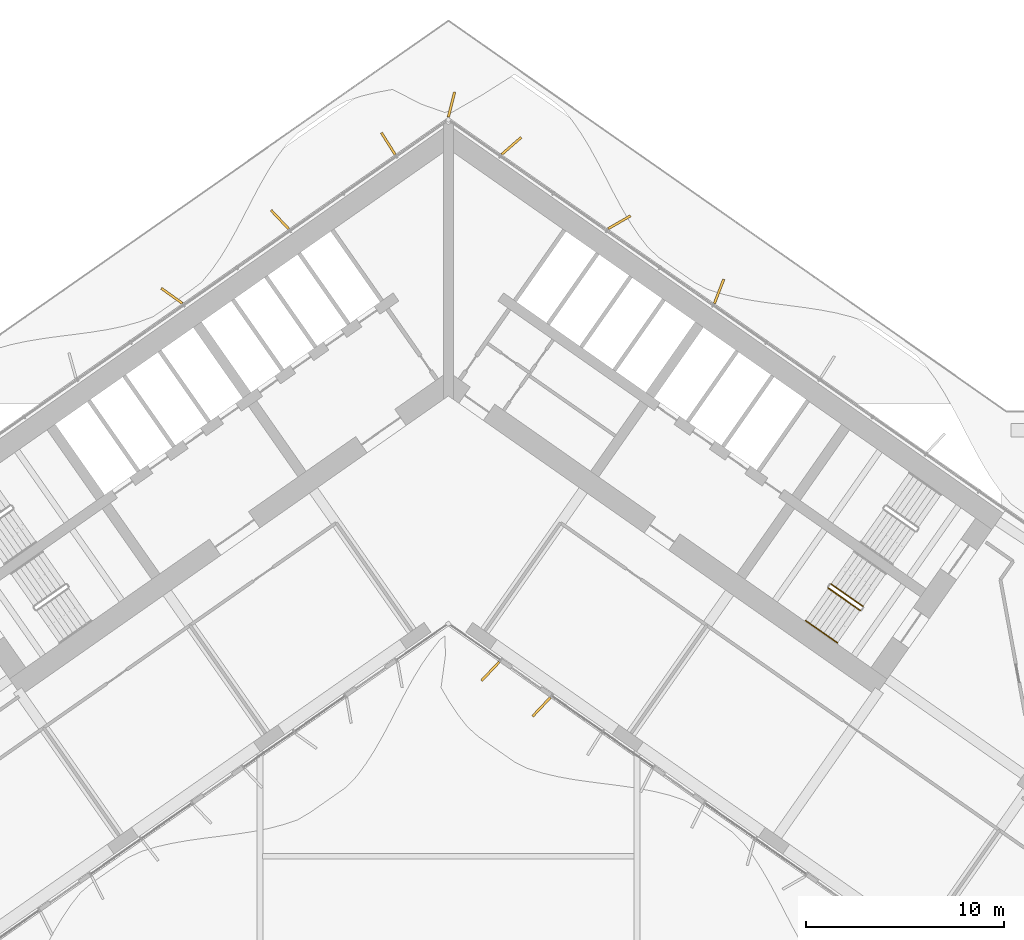
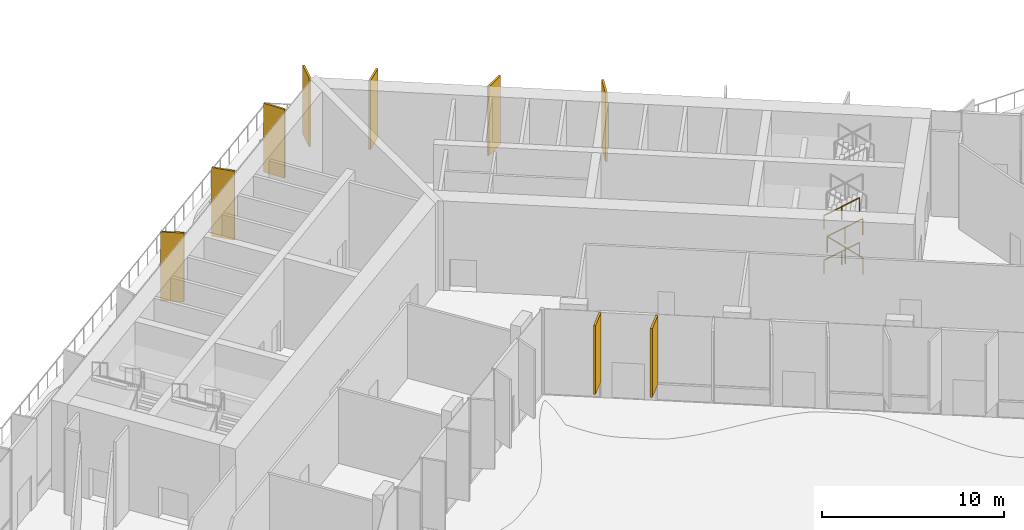
# One storey, part 25 of 27: 9 shading devices, 4 railings.
"""IFC4 building model written with IfcOpenShell, lengths in metres."""

from ifc_helpers import new_model, si_unit, direction, frame, origin, origin_2d, place, context, subcontext, project, spatial, rectangle, circle, extrude, material, layer, layer_set, type_object, element, save


model = new_model("IFC4")

# Units and contexts
model_context = context("Model", 3, precision=1e-05, world=origin(), true_north=direction((0.0, 1.0)))
body_context = subcontext(model_context, "Body", "Model", "MODEL_VIEW")
ifc_project = project(units=[si_unit("LENGTHUNIT", "METRE"), si_unit("AREAUNIT", "SQUARE_METRE"), si_unit("VOLUMEUNIT", "CUBIC_METRE"), si_unit("PLANEANGLEUNIT", "RADIAN"), si_unit("MASSUNIT", "GRAM", prefix="KILO")], contexts=[model_context])

# Site, building, storey
site_placement = place(None, origin())
site = spatial("IfcSite", under=ifc_project, at=site_placement, CompositionType="ELEMENT")
building_placement = place(site_placement, origin())
building = spatial("IfcBuilding", under=site, at=building_placement, Name="Tel Ilan Convention Tower", CompositionType="ELEMENT")
storey_placement = place(building_placement, frame((0.0, 0.0, 48.5)))
storey = spatial("IfcBuildingStorey", under=building, at=storey_placement, Name="L07", CompositionType="ELEMENT", Elevation=48.5)

# Shading devices
ifc_material_1 = material(Name="Aluminium, bronze anodised", Category="aluminium")
ifc_layer = layer(ifc_material_1, 0.1201171875)
ifc_layer_set = layer_set([ifc_layer], Name="FIN BRONZE 1300x120")
shading_device_type = type_object("IfcShadingDeviceType", Name="FIN BRONZE 1300x120", PredefinedType="USERDEFINED", material=ifc_layer_set)
for number, where, z_axis, x_axis, name in (
    (1, (2.119140625, -15.09716796875, 1.099853515625), (0.0, 0.0, 1.0), (-0.686241637865, -0.727373641577, 0.0), "FIN"),
    (2, (4.689208984375, -16.896728515625, 1.099853515625), (0.0, 0.0, 1.0), (-0.686241637865, -0.727373641577, 0.0), "FIN"),
    (3, (13.6435546875, 4.05224609375, 1.099853515625), (0.0, 0.0, 1.0), (0.360177724803, 0.932883704733, 0.0), "FIN"),
    (4, (8.617919921875, 7.533203125, 1.099853515625), (0.0, 0.0, 1.0), (0.866025403784, 0.5, 0.0), "FIN"),
    (5, (3.177978515625, 11.380126953125, 1.099853515625), (0.0, 0.0, 1.0), (0.753435896329, 0.657521368568, 0.0), "FIN"),
    (6, (0.156005859375, 13.463134765625, 1.099853515625), (0.0, 0.0, 1.0), (0.240039791311, 0.970763049661, 0.0), "FIN"),
    (7, (-3.0283203125, 11.4931640625, 1.099853515625), (0.0, 0.0, 1.0), (-0.533204432798, 0.845986425922, 0.0), "FIN"),
    (8, (-8.49169921875, 7.66748046875, 1.099853515625), (0.0, 0.0, 1.0), (-0.686241637865, 0.727373641577, 0.0), "FIN"),
    (9, (-13.94140625, 3.828369140625, 1.099853515625), (0.0, 0.0, 1.0), (-0.813552070258, 0.581492071294, 0.0), "FIN"),
):
    element("IfcShadingDevice", number, at=place(storey_placement, frame(where, z_axis=z_axis, x_axis=x_axis)), inside=storey, type_object=shading_device_type, Name=name, ObjectType="FIN", PredefinedType="USERDEFINED", context=body_context, shape_type="SweptSolid", body=[
        extrude(rectangle(XDim=1.300048828125, YDim=0.1201171875, at=origin_2d()), origin(), (0.0, 0.0, 1.0), 4.6201171875),
    ])

# Railings
ifc_material_2 = material(Name="Stainless Steel Grade 316", Category="steel")
railing_type_1 = type_object("IfcRailingType", Name="Stainless Steel Stair Guard 1100 mm", PredefinedType="GUARDRAIL", material=ifc_material_2)
railing_1_placement = place(storey_placement, frame((20.89697265625, -11.824462890625, 0.1875)))
element("IfcRailing", 10, at=railing_1_placement, inside=storey, type_object=railing_type_1, Name="L07 S4 stair guard 1", PredefinedType="GUARDRAIL", context=body_context, shape_type="SweptSolid", body=[
    extrude(circle(Radius=0.02392578125, at=origin_2d()), frame((0.0, 0.0, 1.076171875), z_axis=(-0.680615610069, 0.476617226942, 0.556415681224), x_axis=(-0.573612813533, -0.819126571508, 0.0)), (0.0, 0.0, 1.0), 2.35888671875),
    extrude(circle(Radius=0.02099609375, at=origin_2d()), origin(), (0.0, 0.0, 1.0), 1.052001953125),
    extrude(circle(Radius=0.02099609375, at=origin_2d()), frame((-0.802734375, 0.56201171875, 0.65625)), (0.0, 0.0, 1.0), 1.052001953125),
    extrude(circle(Radius=0.02099609375, at=origin_2d()), frame((-1.60546875, 1.124267578125, 1.3125)), (0.0, 0.0, 1.0), 1.052001953125),
])
railing_2_placement = place(storey_placement, frame((19.14794921875, -10.905029296875, 1.6875)))
element("IfcRailing", 11, at=railing_2_placement, inside=storey, type_object=railing_type_1, Name="L07 S4 stair guard 3", PredefinedType="GUARDRAIL", context=body_context, shape_type="SweptSolid", body=[
    extrude(circle(Radius=0.02392578125, at=origin_2d()), frame((0.0, 0.0, 1.076171875), z_axis=(0.680671159075, -0.476583653268, 0.55637648642), x_axis=(0.573554290663, 0.819167550421, 0.0)), (0.0, 0.0, 1.0), 2.359130859375),
    extrude(circle(Radius=0.02099609375, at=origin_2d()), origin(), (0.0, 0.0, 1.0), 1.052001953125),
    extrude(circle(Radius=0.02099609375, at=origin_2d()), frame((0.802734375, -0.56201171875, 0.65625)), (0.0, 0.0, 1.0), 1.052001953125),
    extrude(circle(Radius=0.02099609375, at=origin_2d()), frame((1.605712890625, -1.124267578125, 1.3125)), (0.0, 0.0, 1.0), 1.052001953125),
])
ifc_material_3 = material(Name="Stainless Steel Grade 316", Category="steel")
railing_type_2 = type_object("IfcRailingType", Name="Stainless Steel Stair Handrail 900 mm", PredefinedType="HANDRAIL", material=ifc_material_3)
for number, where, name in (
    (12, (18.0009765625, -12.543212890625, 1.6875), "L07 S4 stair handrail 2"),
    (13, (18.0009765625, -12.543212890625, 4.6875), "L07 S4 stair handrail 4"),
):
    element("IfcRailing", number, at=place(storey_placement, frame(where)), inside=storey, type_object=railing_type_2, Name=name, PredefinedType="HANDRAIL", context=body_context, shape_type="SweptSolid", body=[
        extrude(circle(Radius=0.02392578125, at=origin_2d()), frame((0.0, 0.0, 0.8759765625), z_axis=(0.680615610069, -0.476617226942, 0.556415681224), x_axis=(0.573612813533, 0.819126571508, 0.0)), (0.0, 0.0, 1.0), 2.35888671875),
        extrude(circle(Radius=0.02099609375, at=origin_2d()), origin(), (0.0, 0.0, 1.0), 0.851806640625),
        extrude(circle(Radius=0.02099609375, at=origin_2d()), frame((0.802734375, -0.56201171875, 0.65625)), (0.0, 0.0, 1.0), 0.851806640625),
        extrude(circle(Radius=0.02099609375, at=origin_2d()), frame((1.60546875, -1.124267578125, 1.3125)), (0.0, 0.0, 1.0), 0.851806640625),
    ])

save(model, "model.ifc")
